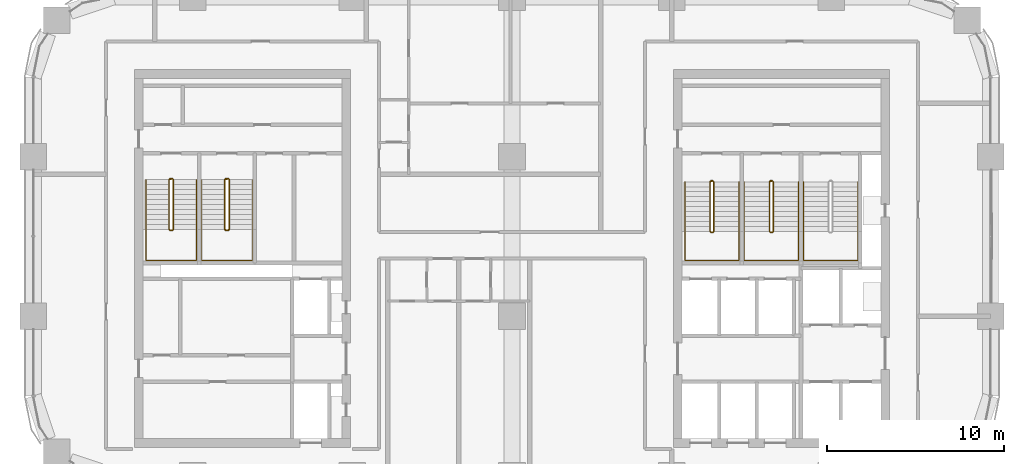
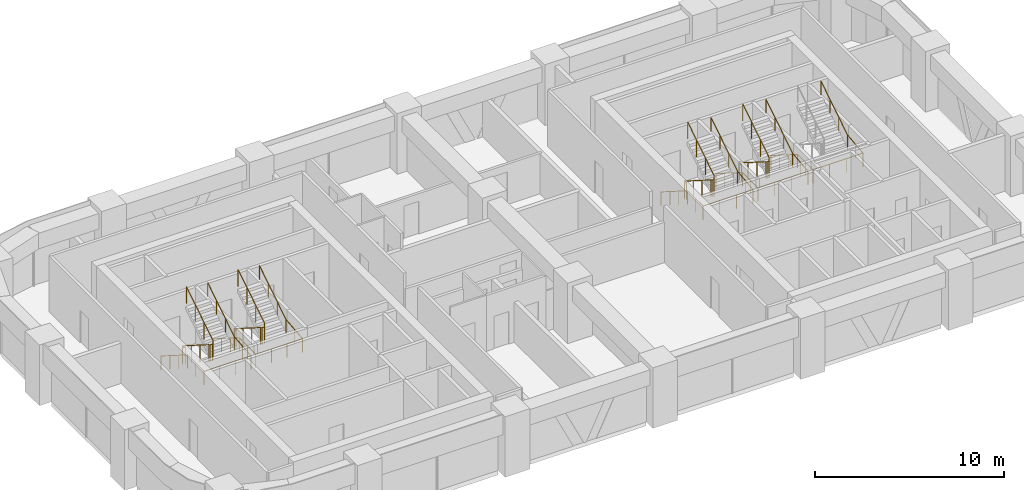
# One storey, part 13 of 14: 9 railings.
"""IFC4 building model written with IfcOpenShell, lengths in metres."""

from ifc_helpers import new_model, si_unit, direction, frame, origin, origin_2d, place, context, subcontext, project, spatial, circle, extrude, material, type_object, element, save


model = new_model("IFC4")

# Units and contexts
model_context = context("Model", 3, precision=1e-05, world=origin(), true_north=direction((0.0, 1.0)))
body_context = subcontext(model_context, "Body", "Model", "MODEL_VIEW")
ifc_project = project(units=[si_unit("LENGTHUNIT", "METRE"), si_unit("AREAUNIT", "SQUARE_METRE"), si_unit("VOLUMEUNIT", "CUBIC_METRE"), si_unit("PLANEANGLEUNIT", "RADIAN"), si_unit("MASSUNIT", "GRAM", prefix="KILO")], contexts=[model_context])

# Site, building, storey
site_placement = place(None, origin())
site = spatial("IfcSite", under=ifc_project, at=site_placement, CompositionType="ELEMENT")
building_placement = place(site_placement, origin())
building = spatial("IfcBuilding", under=site, at=building_placement, Name="Tessera Arch", CompositionType="ELEMENT")
storey_placement = place(building_placement, frame((0.0, 0.0, 173.89990234375)))
storey = spatial("IfcBuildingStorey", under=building, at=storey_placement, Name="L41", CompositionType="ELEMENT", Elevation=173.89990234375)

# Railings
ifc_material_1 = material(Name="Painted steel balustrade", Category="steel")
railing_type_1 = type_object("IfcRailingType", Name="Stair guard 1100", PredefinedType="GUARDRAIL", material=ifc_material_1)
railing_1_placement = place(storey_placement, frame((38.219970703125, 43.6298828125, 0.0)))
element("IfcRailing", 1, at=railing_1_placement, inside=storey, type_object=railing_type_1, Name="L41 S1a stair guard 1", PredefinedType="GUARDRAIL", context=body_context, shape_type="SweptSolid", body=[
    extrude(circle(Radius=0.02392578125, at=origin_2d()), frame((-0.00390625, 0.0, 1.076171875), z_axis=(1.0, 0.0, 0.0), x_axis=(0.0, 1.0, 0.0)), (0.0, 0.0, 1.0), 0.1181640625),
    extrude(circle(Radius=0.02392578125, at=origin_2d()), frame((0.11279296875, 0.000732421875, 1.0732421875), z_axis=(-0.655842288892, -0.203950955692, 0.72682521955), x_axis=(0.296948579431, -0.954893471113, 0.0)), (0.0, 0.0, 1.0), 0.252197265625),
    extrude(circle(Radius=0.02392578125, at=origin_2d()), frame((-0.050048828125, -0.04638671875, 1.25146484375), z_axis=(0.0, -0.844908973607, 0.534910110503), x_axis=(1.0, 0.0, 0.0)), (0.0, 0.0, 1.0), 3.322021484375),
    extrude(circle(Radius=0.02392578125, at=origin_2d()), frame((-0.052978515625, -2.846923828125, 3.0263671875), z_axis=(0.707106781187, -0.707106781187, 0.0), x_axis=(0.707106781187, 0.707106781187, 0.0)), (0.0, 0.0, 1.0), 0.078857421875),
    extrude(circle(Radius=0.02392578125, at=origin_2d()), frame((-0.00390625, -2.89990234375, 3.0263671875), z_axis=(1.0, 0.0, 0.0), x_axis=(0.0, 1.0, 0.0)), (0.0, 0.0, 1.0), 0.1181640625),
    extrude(circle(Radius=0.02392578125, at=origin_2d()), frame((0.109130859375, -2.90087890625, 3.0224609375), z_axis=(0.261041864531, 0.262321481514, 0.929001929653), x_axis=(-0.708833529934, 0.705375805398, 0.0)), (0.0, 0.0, 1.0), 0.19873046875),
    extrude(circle(Radius=0.02392578125, at=origin_2d()), frame((0.159912109375, -2.853271484375, 3.201416015625), z_axis=(0.0, 0.844908973607, 0.534910110503), x_axis=(-1.0, 0.0, 0.0)), (0.0, 0.0, 1.0), 3.322021484375),
    extrude(circle(Radius=0.02099609375, at=origin_2d()), origin(), (0.0, 0.0, 1.0), 1.06396484375),
    extrude(circle(Radius=0.02099609375, at=origin_2d()), frame((0.110107421875, 0.0, 0.0)), (0.0, 0.0, 1.0), 1.06396484375),
    extrude(circle(Radius=0.02099609375, at=origin_2d()), frame((-0.050048828125, -0.0498046875, 0.177490234375)), (0.0, 0.0, 1.0), 1.06396484375),
    extrude(circle(Radius=0.02099609375, at=origin_2d()), frame((-0.050048828125, -0.983154296875, 0.768310546875)), (0.0, 0.0, 1.0), 1.06396484375),
    extrude(circle(Radius=0.02099609375, at=origin_2d()), frame((-0.050048828125, -1.91650390625, 1.359375)), (0.0, 0.0, 1.0), 1.06396484375),
    extrude(circle(Radius=0.02099609375, at=origin_2d()), frame((-0.050048828125, -2.849853515625, 1.9501953125)), (0.0, 0.0, 1.0), 1.06396484375),
    extrude(circle(Radius=0.02099609375, at=origin_2d()), frame((0.0, -2.89990234375, 1.9501953125)), (0.0, 0.0, 1.0), 1.06396484375),
    extrude(circle(Radius=0.02099609375, at=origin_2d()), frame((0.110107421875, -2.89990234375, 1.9501953125)), (0.0, 0.0, 1.0), 1.06396484375),
    extrude(circle(Radius=0.02099609375, at=origin_2d()), frame((0.159912109375, -2.849853515625, 2.12744140625)), (0.0, 0.0, 1.0), 1.06396484375),
    extrude(circle(Radius=0.02099609375, at=origin_2d()), frame((0.159912109375, -1.91650390625, 2.71826171875)), (0.0, 0.0, 1.0), 1.06396484375),
    extrude(circle(Radius=0.02099609375, at=origin_2d()), frame((0.159912109375, -0.983154296875, 3.309326171875)), (0.0, 0.0, 1.0), 1.06396484375),
    extrude(circle(Radius=0.02099609375, at=origin_2d()), frame((0.159912109375, -0.0498046875, 3.900146484375)), (0.0, 0.0, 1.0), 1.06396484375),
])
railing_2_placement = place(storey_placement, frame((41.570068359375, 43.6298828125, 0.0)))
element("IfcRailing", 2, at=railing_2_placement, inside=storey, type_object=railing_type_1, Name="L41 S1b stair guard 1", PredefinedType="GUARDRAIL", context=body_context, shape_type="SweptSolid", body=[
    extrude(circle(Radius=0.02392578125, at=origin_2d()), frame((-0.00390625, 0.0, 1.076171875), z_axis=(1.0, 0.0, 0.0), x_axis=(0.0, 1.0, 0.0)), (0.0, 0.0, 1.0), 0.117919921875),
    extrude(circle(Radius=0.02392578125, at=origin_2d()), frame((0.112548828125, 0.000732421875, 1.0732421875), z_axis=(-0.655271994328, -0.204084712737, 0.727301892941), x_axis=(0.297361876254, -0.954764847777, 0.0)), (0.0, 0.0, 1.0), 0.251953125),
    extrude(circle(Radius=0.02392578125, at=origin_2d()), frame((-0.050048828125, -0.04638671875, 1.25146484375), z_axis=(0.0, -0.844908973607, 0.534910110503), x_axis=(1.0, 0.0, 0.0)), (0.0, 0.0, 1.0), 3.322021484375),
    extrude(circle(Radius=0.02392578125, at=origin_2d()), frame((-0.052978515625, -2.846923828125, 3.0263671875), z_axis=(0.707106781187, -0.707106781187, 0.0), x_axis=(0.707106781187, 0.707106781187, 0.0)), (0.0, 0.0, 1.0), 0.078857421875),
    extrude(circle(Radius=0.02392578125, at=origin_2d()), frame((-0.00390625, -2.89990234375, 3.0263671875), z_axis=(1.0, 0.0, 0.0), x_axis=(0.0, 1.0, 0.0)), (0.0, 0.0, 1.0), 0.117919921875),
    extrude(circle(Radius=0.02392578125, at=origin_2d()), frame((0.10888671875, -2.90087890625, 3.0224609375), z_axis=(0.262233686654, 0.262233686654, 0.928691007369), x_axis=(-0.707106781187, 0.707106781187, 0.0)), (0.0, 0.0, 1.0), 0.198974609375),
    extrude(circle(Radius=0.02392578125, at=origin_2d()), frame((0.159912109375, -2.853271484375, 3.201416015625), z_axis=(0.0, 0.844908973607, 0.534910110503), x_axis=(-1.0, 0.0, 0.0)), (0.0, 0.0, 1.0), 3.322021484375),
    extrude(circle(Radius=0.02099609375, at=origin_2d()), origin(), (0.0, 0.0, 1.0), 1.06396484375),
    extrude(circle(Radius=0.02099609375, at=origin_2d()), frame((0.10986328125, 0.0, 0.0)), (0.0, 0.0, 1.0), 1.06396484375),
    extrude(circle(Radius=0.02099609375, at=origin_2d()), frame((-0.050048828125, -0.0498046875, 0.177490234375)), (0.0, 0.0, 1.0), 1.06396484375),
    extrude(circle(Radius=0.02099609375, at=origin_2d()), frame((-0.050048828125, -0.983154296875, 0.768310546875)), (0.0, 0.0, 1.0), 1.06396484375),
    extrude(circle(Radius=0.02099609375, at=origin_2d()), frame((-0.050048828125, -1.91650390625, 1.359375)), (0.0, 0.0, 1.0), 1.06396484375),
    extrude(circle(Radius=0.02099609375, at=origin_2d()), frame((-0.050048828125, -2.849853515625, 1.9501953125)), (0.0, 0.0, 1.0), 1.06396484375),
    extrude(circle(Radius=0.02099609375, at=origin_2d()), frame((0.0, -2.89990234375, 1.9501953125)), (0.0, 0.0, 1.0), 1.06396484375),
    extrude(circle(Radius=0.02099609375, at=origin_2d()), frame((0.10986328125, -2.89990234375, 1.9501953125)), (0.0, 0.0, 1.0), 1.06396484375),
    extrude(circle(Radius=0.02099609375, at=origin_2d()), frame((0.159912109375, -2.849853515625, 2.12744140625)), (0.0, 0.0, 1.0), 1.06396484375),
    extrude(circle(Radius=0.02099609375, at=origin_2d()), frame((0.159912109375, -1.91650390625, 2.71826171875)), (0.0, 0.0, 1.0), 1.06396484375),
    extrude(circle(Radius=0.02099609375, at=origin_2d()), frame((0.159912109375, -0.983154296875, 3.309326171875)), (0.0, 0.0, 1.0), 1.06396484375),
    extrude(circle(Radius=0.02099609375, at=origin_2d()), frame((0.159912109375, -0.0498046875, 3.900146484375)), (0.0, 0.0, 1.0), 1.06396484375),
])
railing_3_placement = place(storey_placement, frame((7.699951171875, 43.75, 0.0)))
element("IfcRailing", 3, at=railing_3_placement, inside=storey, type_object=railing_type_1, Name="L41 S2a stair guard 1", PredefinedType="GUARDRAIL", context=body_context, shape_type="SweptSolid", body=[
    extrude(circle(Radius=0.02392578125, at=origin_2d()), frame((-0.00390625, 0.0, 1.076171875), z_axis=(1.0, 0.0, 0.0), x_axis=(0.0, 1.0, 0.0)), (0.0, 0.0, 1.0), 0.158203125),
    extrude(circle(Radius=0.02392578125, at=origin_2d()), frame((0.153076171875, 0.000732421875, 1.073486328125), z_axis=(-0.735506176693, -0.183876544173, 0.652089012751), x_axis=(0.242535625036, -0.970142500145, 0.0)), (0.0, 0.0, 1.0), 0.2802734375),
    extrude(circle(Radius=0.02392578125, at=origin_2d()), frame((-0.050048828125, -0.046630859375, 1.25146484375), z_axis=(0.0, -0.844908973607, 0.534910110503), x_axis=(1.0, 0.0, 0.0)), (0.0, 0.0, 1.0), 3.322021484375),
    extrude(circle(Radius=0.02392578125, at=origin_2d()), frame((-0.052978515625, -2.84716796875, 3.0263671875), z_axis=(0.708833529934, -0.705375805398, 0.0), x_axis=(0.705375805398, 0.708833529934, 0.0)), (0.0, 0.0, 1.0), 0.07861328125),
    extrude(circle(Radius=0.02392578125, at=origin_2d()), frame((-0.00390625, -2.89990234375, 3.0263671875), z_axis=(1.0, 0.0, 0.0), x_axis=(0.0, 1.0, 0.0)), (0.0, 0.0, 1.0), 0.158203125),
    extrude(circle(Radius=0.02392578125, at=origin_2d()), frame((0.149169921875, -2.90087890625, 3.0224609375), z_axis=(0.261129318932, 0.261129318932, 0.929313164433), x_axis=(-0.707106781187, 0.707106781187, 0.0)), (0.0, 0.0, 1.0), 0.19873046875),
    extrude(circle(Radius=0.02392578125, at=origin_2d()), frame((0.199951171875, -2.853515625, 3.201416015625), z_axis=(0.0, 0.844908973607, 0.534910110503), x_axis=(-1.0, 0.0, 0.0)), (0.0, 0.0, 1.0), 3.322021484375),
    extrude(circle(Radius=0.02099609375, at=origin_2d()), origin(), (0.0, 0.0, 1.0), 1.06396484375),
    extrude(circle(Radius=0.02099609375, at=origin_2d()), frame((0.150146484375, 0.0, 0.0)), (0.0, 0.0, 1.0), 1.06396484375),
    extrude(circle(Radius=0.02099609375, at=origin_2d()), frame((-0.050048828125, -0.050048828125, 0.177490234375)), (0.0, 0.0, 1.0), 1.06396484375),
    extrude(circle(Radius=0.02099609375, at=origin_2d()), frame((-0.050048828125, -0.9833984375, 0.768310546875)), (0.0, 0.0, 1.0), 1.06396484375),
    extrude(circle(Radius=0.02099609375, at=origin_2d()), frame((-0.050048828125, -1.916748046875, 1.359375)), (0.0, 0.0, 1.0), 1.06396484375),
    extrude(circle(Radius=0.02099609375, at=origin_2d()), frame((-0.050048828125, -2.85009765625, 1.9501953125)), (0.0, 0.0, 1.0), 1.06396484375),
    extrude(circle(Radius=0.02099609375, at=origin_2d()), frame((0.0, -2.89990234375, 1.9501953125)), (0.0, 0.0, 1.0), 1.06396484375),
    extrude(circle(Radius=0.02099609375, at=origin_2d()), frame((0.150146484375, -2.89990234375, 1.9501953125)), (0.0, 0.0, 1.0), 1.06396484375),
    extrude(circle(Radius=0.02099609375, at=origin_2d()), frame((0.199951171875, -2.85009765625, 2.12744140625)), (0.0, 0.0, 1.0), 1.06396484375),
    extrude(circle(Radius=0.02099609375, at=origin_2d()), frame((0.199951171875, -1.916748046875, 2.71826171875)), (0.0, 0.0, 1.0), 1.06396484375),
    extrude(circle(Radius=0.02099609375, at=origin_2d()), frame((0.199951171875, -0.9833984375, 3.309326171875)), (0.0, 0.0, 1.0), 1.06396484375),
    extrude(circle(Radius=0.02099609375, at=origin_2d()), frame((0.199951171875, -0.050048828125, 3.900146484375)), (0.0, 0.0, 1.0), 1.06396484375),
])
railing_4_placement = place(storey_placement, frame((10.85009765625, 43.75, 0.0)))
element("IfcRailing", 4, at=railing_4_placement, inside=storey, type_object=railing_type_1, Name="L41 S2b stair guard 1", PredefinedType="GUARDRAIL", context=body_context, shape_type="SweptSolid", body=[
    extrude(circle(Radius=0.02392578125, at=origin_2d()), frame((-0.00390625, 0.0, 1.076171875), z_axis=(1.0, 0.0, 0.0), x_axis=(0.0, 1.0, 0.0)), (0.0, 0.0, 1.0), 0.157958984375),
    extrude(circle(Radius=0.02392578125, at=origin_2d()), frame((0.15283203125, 0.000732421875, 1.073486328125), z_axis=(-0.735094037398, -0.183997897029, 0.652519371414), x_axis=(0.242814311512, -0.970072785993, 0.0)), (0.0, 0.0, 1.0), 0.280029296875),
    extrude(circle(Radius=0.02392578125, at=origin_2d()), frame((-0.050048828125, -0.046630859375, 1.25146484375), z_axis=(0.0, -0.844908973607, 0.534910110503), x_axis=(1.0, 0.0, 0.0)), (0.0, 0.0, 1.0), 3.322021484375),
    extrude(circle(Radius=0.02392578125, at=origin_2d()), frame((-0.052978515625, -2.84716796875, 3.0263671875), z_axis=(0.708833529934, -0.705375805398, 0.0), x_axis=(0.705375805398, 0.708833529934, 0.0)), (0.0, 0.0, 1.0), 0.07861328125),
    extrude(circle(Radius=0.02392578125, at=origin_2d()), frame((-0.00390625, -2.89990234375, 3.0263671875), z_axis=(1.0, 0.0, 0.0), x_axis=(0.0, 1.0, 0.0)), (0.0, 0.0, 1.0), 0.157958984375),
    extrude(circle(Radius=0.02392578125, at=origin_2d()), frame((0.14892578125, -2.90087890625, 3.0224609375), z_axis=(0.262321481514, 0.261041864531, 0.929001929653), x_axis=(-0.705375805398, 0.708833529934, 0.0)), (0.0, 0.0, 1.0), 0.19873046875),
    extrude(circle(Radius=0.02392578125, at=origin_2d()), frame((0.199951171875, -2.853515625, 3.201416015625), z_axis=(0.0, 0.844908973607, 0.534910110503), x_axis=(-1.0, 0.0, 0.0)), (0.0, 0.0, 1.0), 3.322021484375),
    extrude(circle(Radius=0.02099609375, at=origin_2d()), origin(), (0.0, 0.0, 1.0), 1.06396484375),
    extrude(circle(Radius=0.02099609375, at=origin_2d()), frame((0.14990234375, 0.0, 0.0)), (0.0, 0.0, 1.0), 1.06396484375),
    extrude(circle(Radius=0.02099609375, at=origin_2d()), frame((-0.050048828125, -0.050048828125, 0.177490234375)), (0.0, 0.0, 1.0), 1.06396484375),
    extrude(circle(Radius=0.02099609375, at=origin_2d()), frame((-0.050048828125, -0.9833984375, 0.768310546875)), (0.0, 0.0, 1.0), 1.06396484375),
    extrude(circle(Radius=0.02099609375, at=origin_2d()), frame((-0.050048828125, -1.916748046875, 1.359375)), (0.0, 0.0, 1.0), 1.06396484375),
    extrude(circle(Radius=0.02099609375, at=origin_2d()), frame((-0.050048828125, -2.85009765625, 1.9501953125)), (0.0, 0.0, 1.0), 1.06396484375),
    extrude(circle(Radius=0.02099609375, at=origin_2d()), frame((0.0, -2.89990234375, 1.9501953125)), (0.0, 0.0, 1.0), 1.06396484375),
    extrude(circle(Radius=0.02099609375, at=origin_2d()), frame((0.14990234375, -2.89990234375, 1.9501953125)), (0.0, 0.0, 1.0), 1.06396484375),
    extrude(circle(Radius=0.02099609375, at=origin_2d()), frame((0.199951171875, -2.85009765625, 2.12744140625)), (0.0, 0.0, 1.0), 1.06396484375),
    extrude(circle(Radius=0.02099609375, at=origin_2d()), frame((0.199951171875, -1.916748046875, 2.71826171875)), (0.0, 0.0, 1.0), 1.06396484375),
    extrude(circle(Radius=0.02099609375, at=origin_2d()), frame((0.199951171875, -0.9833984375, 3.309326171875)), (0.0, 0.0, 1.0), 1.06396484375),
    extrude(circle(Radius=0.02099609375, at=origin_2d()), frame((0.199951171875, -0.050048828125, 3.900146484375)), (0.0, 0.0, 1.0), 1.06396484375),
])
ifc_material_2 = material(Name="Painted steel handrail", Category="steel")
railing_type_2 = type_object("IfcRailingType", Name="Stair handrail 900", PredefinedType="HANDRAIL", material=ifc_material_2)
railing_5_placement = place(storey_placement, frame((36.75, 43.580078125, 0.177490234375)))
element("IfcRailing", 5, at=railing_5_placement, inside=storey, type_object=railing_type_2, Name="L41 S1a stair handrail", PredefinedType="HANDRAIL", context=body_context, shape_type="SweptSolid", body=[
    extrude(circle(Radius=0.02392578125, at=origin_2d()), frame((0.0, 0.00341796875, 0.873779296875), z_axis=(0.0, -0.844908973607, 0.534910110503), x_axis=(1.0, 0.0, 0.0)), (0.0, 0.0, 1.0), 3.322021484375),
    extrude(circle(Radius=0.02392578125, at=origin_2d()), frame((0.0, -2.796142578125, 2.6484375), z_axis=(0.0, -1.0, 0.0), x_axis=(1.0, 0.0, 0.0)), (0.0, 0.0, 1.0), 1.63818359375),
    extrude(circle(Radius=0.02392578125, at=origin_2d()), frame((-0.00390625, -4.43017578125, 2.6484375), z_axis=(1.0, 0.0, 0.0), x_axis=(0.0, 1.0, 0.0)), (0.0, 0.0, 1.0), 3.05810546875),
    extrude(circle(Radius=0.02392578125, at=origin_2d()), frame((3.050048828125, -4.43408203125, 2.648193359375), z_axis=(0.0, 0.994140637614, 0.108094369164), x_axis=(-1.0, 0.0, 0.0)), (0.0, 0.0, 1.0), 1.647705078125),
    extrude(circle(Radius=0.02392578125, at=origin_2d()), frame((3.050048828125, -2.803466796875, 2.82373046875), z_axis=(0.0, 0.844908973607, 0.534910110503), x_axis=(-1.0, 0.0, 0.0)), (0.0, 0.0, 1.0), 3.322021484375),
    extrude(circle(Radius=0.02099609375, at=origin_2d()), origin(), (0.0, 0.0, 1.0), 0.86376953125),
    extrude(circle(Radius=0.02099609375, at=origin_2d()), frame((0.0, -0.933349609375, 0.5908203125)), (0.0, 0.0, 1.0), 0.86376953125),
    extrude(circle(Radius=0.02099609375, at=origin_2d()), frame((0.0, -1.86669921875, 1.181884765625)), (0.0, 0.0, 1.0), 0.86376953125),
    extrude(circle(Radius=0.02099609375, at=origin_2d()), frame((0.0, -2.800048828125, 1.772705078125)), (0.0, 0.0, 1.0), 0.86376953125),
    extrude(circle(Radius=0.02099609375, at=origin_2d()), frame((0.0, -3.615234375, 1.772705078125)), (0.0, 0.0, 1.0), 0.86376953125),
    extrude(circle(Radius=0.02099609375, at=origin_2d()), frame((0.0, -4.43017578125, 1.772705078125)), (0.0, 0.0, 1.0), 0.86376953125),
    extrude(circle(Radius=0.02099609375, at=origin_2d()), frame((1.0166015625, -4.43017578125, 1.772705078125)), (0.0, 0.0, 1.0), 0.86376953125),
    extrude(circle(Radius=0.02099609375, at=origin_2d()), frame((2.033447265625, -4.43017578125, 1.772705078125)), (0.0, 0.0, 1.0), 0.86376953125),
    extrude(circle(Radius=0.02099609375, at=origin_2d()), frame((3.050048828125, -4.43017578125, 1.772705078125)), (0.0, 0.0, 1.0), 0.86376953125),
    extrude(circle(Radius=0.02099609375, at=origin_2d()), frame((3.050048828125, -3.615234375, 1.861328125)), (0.0, 0.0, 1.0), 0.86376953125),
    extrude(circle(Radius=0.02099609375, at=origin_2d()), frame((3.050048828125, -2.800048828125, 1.949951171875)), (0.0, 0.0, 1.0), 0.86376953125),
    extrude(circle(Radius=0.02099609375, at=origin_2d()), frame((3.050048828125, -1.86669921875, 2.540771484375)), (0.0, 0.0, 1.0), 0.86376953125),
    extrude(circle(Radius=0.02099609375, at=origin_2d()), frame((3.050048828125, -0.933349609375, 3.1318359375)), (0.0, 0.0, 1.0), 0.86376953125),
    extrude(circle(Radius=0.02099609375, at=origin_2d()), frame((3.050048828125, 0.0, 3.72265625)), (0.0, 0.0, 1.0), 0.86376953125),
])
railing_6_placement = place(storey_placement, frame((40.10009765625, 43.580078125, 0.177490234375)))
element("IfcRailing", 6, at=railing_6_placement, inside=storey, type_object=railing_type_2, Name="L41 S1b stair handrail", PredefinedType="HANDRAIL", context=body_context, shape_type="SweptSolid", body=[
    extrude(circle(Radius=0.02392578125, at=origin_2d()), frame((0.0, 0.00341796875, 0.873779296875), z_axis=(0.0, -0.844908973607, 0.534910110503), x_axis=(1.0, 0.0, 0.0)), (0.0, 0.0, 1.0), 3.322021484375),
    extrude(circle(Radius=0.02392578125, at=origin_2d()), frame((0.0, -2.796142578125, 2.6484375), z_axis=(0.0, -1.0, 0.0), x_axis=(1.0, 0.0, 0.0)), (0.0, 0.0, 1.0), 1.63818359375),
    extrude(circle(Radius=0.02392578125, at=origin_2d()), frame((-0.00390625, -4.43017578125, 2.6484375), z_axis=(1.0, 0.0, 0.0), x_axis=(0.0, 1.0, 0.0)), (0.0, 0.0, 1.0), 3.057861328125),
    extrude(circle(Radius=0.02392578125, at=origin_2d()), frame((3.0498046875, -4.43408203125, 2.648193359375), z_axis=(0.0, 0.994140637614, 0.108094369164), x_axis=(-1.0, 0.0, 0.0)), (0.0, 0.0, 1.0), 1.647705078125),
    extrude(circle(Radius=0.02392578125, at=origin_2d()), frame((3.0498046875, -2.803466796875, 2.82373046875), z_axis=(0.0, 0.844908973607, 0.534910110503), x_axis=(-1.0, 0.0, 0.0)), (0.0, 0.0, 1.0), 3.322021484375),
    extrude(circle(Radius=0.02099609375, at=origin_2d()), origin(), (0.0, 0.0, 1.0), 0.86376953125),
    extrude(circle(Radius=0.02099609375, at=origin_2d()), frame((0.0, -0.933349609375, 0.5908203125)), (0.0, 0.0, 1.0), 0.86376953125),
    extrude(circle(Radius=0.02099609375, at=origin_2d()), frame((0.0, -1.86669921875, 1.181884765625)), (0.0, 0.0, 1.0), 0.86376953125),
    extrude(circle(Radius=0.02099609375, at=origin_2d()), frame((0.0, -2.800048828125, 1.772705078125)), (0.0, 0.0, 1.0), 0.86376953125),
    extrude(circle(Radius=0.02099609375, at=origin_2d()), frame((0.0, -3.615234375, 1.772705078125)), (0.0, 0.0, 1.0), 0.86376953125),
    extrude(circle(Radius=0.02099609375, at=origin_2d()), frame((0.0, -4.43017578125, 1.772705078125)), (0.0, 0.0, 1.0), 0.86376953125),
    extrude(circle(Radius=0.02099609375, at=origin_2d()), frame((1.0166015625, -4.43017578125, 1.772705078125)), (0.0, 0.0, 1.0), 0.86376953125),
    extrude(circle(Radius=0.02099609375, at=origin_2d()), frame((2.033203125, -4.43017578125, 1.772705078125)), (0.0, 0.0, 1.0), 0.86376953125),
    extrude(circle(Radius=0.02099609375, at=origin_2d()), frame((3.0498046875, -4.43017578125, 1.772705078125)), (0.0, 0.0, 1.0), 0.86376953125),
    extrude(circle(Radius=0.02099609375, at=origin_2d()), frame((3.0498046875, -3.615234375, 1.861328125)), (0.0, 0.0, 1.0), 0.86376953125),
    extrude(circle(Radius=0.02099609375, at=origin_2d()), frame((3.0498046875, -2.800048828125, 1.949951171875)), (0.0, 0.0, 1.0), 0.86376953125),
    extrude(circle(Radius=0.02099609375, at=origin_2d()), frame((3.0498046875, -1.86669921875, 2.540771484375)), (0.0, 0.0, 1.0), 0.86376953125),
    extrude(circle(Radius=0.02099609375, at=origin_2d()), frame((3.0498046875, -0.933349609375, 3.1318359375)), (0.0, 0.0, 1.0), 0.86376953125),
    extrude(circle(Radius=0.02099609375, at=origin_2d()), frame((3.0498046875, 0.0, 3.72265625)), (0.0, 0.0, 1.0), 0.86376953125),
])
railing_7_placement = place(storey_placement, frame((43.449951171875, 43.580078125, 0.177490234375)))
element("IfcRailing", 7, at=railing_7_placement, inside=storey, type_object=railing_type_2, Name="L41 S1c stair handrail", PredefinedType="HANDRAIL", context=body_context, shape_type="SweptSolid", body=[
    extrude(circle(Radius=0.02392578125, at=origin_2d()), frame((0.0, 0.00341796875, 0.873779296875), z_axis=(0.0, -0.844908973607, 0.534910110503), x_axis=(1.0, 0.0, 0.0)), (0.0, 0.0, 1.0), 3.322021484375),
    extrude(circle(Radius=0.02392578125, at=origin_2d()), frame((0.0, -2.796142578125, 2.6484375), z_axis=(0.0, -1.0, 0.0), x_axis=(1.0, 0.0, 0.0)), (0.0, 0.0, 1.0), 1.63818359375),
    extrude(circle(Radius=0.02392578125, at=origin_2d()), frame((-0.00390625, -4.43017578125, 2.6484375), z_axis=(1.0, 0.0, 0.0), x_axis=(0.0, 1.0, 0.0)), (0.0, 0.0, 1.0), 3.05810546875),
    extrude(circle(Radius=0.02392578125, at=origin_2d()), frame((3.050048828125, -4.43408203125, 2.648193359375), z_axis=(0.0, 0.994140637614, 0.108094369164), x_axis=(-1.0, 0.0, 0.0)), (0.0, 0.0, 1.0), 1.647705078125),
    extrude(circle(Radius=0.02392578125, at=origin_2d()), frame((3.050048828125, -2.803466796875, 2.82373046875), z_axis=(0.0, 0.844908973607, 0.534910110503), x_axis=(-1.0, 0.0, 0.0)), (0.0, 0.0, 1.0), 3.322021484375),
    extrude(circle(Radius=0.02099609375, at=origin_2d()), origin(), (0.0, 0.0, 1.0), 0.86376953125),
    extrude(circle(Radius=0.02099609375, at=origin_2d()), frame((0.0, -0.933349609375, 0.5908203125)), (0.0, 0.0, 1.0), 0.86376953125),
    extrude(circle(Radius=0.02099609375, at=origin_2d()), frame((0.0, -1.86669921875, 1.181884765625)), (0.0, 0.0, 1.0), 0.86376953125),
    extrude(circle(Radius=0.02099609375, at=origin_2d()), frame((0.0, -2.800048828125, 1.772705078125)), (0.0, 0.0, 1.0), 0.86376953125),
    extrude(circle(Radius=0.02099609375, at=origin_2d()), frame((0.0, -3.615234375, 1.772705078125)), (0.0, 0.0, 1.0), 0.86376953125),
    extrude(circle(Radius=0.02099609375, at=origin_2d()), frame((0.0, -4.43017578125, 1.772705078125)), (0.0, 0.0, 1.0), 0.86376953125),
    extrude(circle(Radius=0.02099609375, at=origin_2d()), frame((1.0166015625, -4.43017578125, 1.772705078125)), (0.0, 0.0, 1.0), 0.86376953125),
    extrude(circle(Radius=0.02099609375, at=origin_2d()), frame((2.033447265625, -4.43017578125, 1.772705078125)), (0.0, 0.0, 1.0), 0.86376953125),
    extrude(circle(Radius=0.02099609375, at=origin_2d()), frame((3.050048828125, -4.43017578125, 1.772705078125)), (0.0, 0.0, 1.0), 0.86376953125),
    extrude(circle(Radius=0.02099609375, at=origin_2d()), frame((3.050048828125, -3.615234375, 1.861328125)), (0.0, 0.0, 1.0), 0.86376953125),
    extrude(circle(Radius=0.02099609375, at=origin_2d()), frame((3.050048828125, -2.800048828125, 1.949951171875)), (0.0, 0.0, 1.0), 0.86376953125),
    extrude(circle(Radius=0.02099609375, at=origin_2d()), frame((3.050048828125, -1.86669921875, 2.540771484375)), (0.0, 0.0, 1.0), 0.86376953125),
    extrude(circle(Radius=0.02099609375, at=origin_2d()), frame((3.050048828125, -0.933349609375, 3.1318359375)), (0.0, 0.0, 1.0), 0.86376953125),
    extrude(circle(Radius=0.02099609375, at=origin_2d()), frame((3.050048828125, 0.0, 3.72265625)), (0.0, 0.0, 1.0), 0.86376953125),
])
railing_8_placement = place(storey_placement, frame((6.35009765625, 43.699951171875, 0.177490234375)))
element("IfcRailing", 8, at=railing_8_placement, inside=storey, type_object=railing_type_2, Name="L41 S2a stair handrail", PredefinedType="HANDRAIL", context=body_context, shape_type="SweptSolid", body=[
    extrude(circle(Radius=0.02392578125, at=origin_2d()), frame((0.0, 0.00341796875, 0.873779296875), z_axis=(0.0, -0.844908973607, 0.534910110503), x_axis=(1.0, 0.0, 0.0)), (0.0, 0.0, 1.0), 3.322021484375),
    extrude(circle(Radius=0.02392578125, at=origin_2d()), frame((0.0, -2.796142578125, 2.6484375), z_axis=(0.0, -1.0, 0.0), x_axis=(1.0, 0.0, 0.0)), (0.0, 0.0, 1.0), 1.758056640625),
    extrude(circle(Radius=0.02392578125, at=origin_2d()), frame((-0.00390625, -4.550048828125, 2.6484375), z_axis=(1.0, 0.0, 0.0), x_axis=(0.0, 1.0, 0.0)), (0.0, 0.0, 1.0), 2.85791015625),
    extrude(circle(Radius=0.02392578125, at=origin_2d()), frame((2.849853515625, -4.553955078125, 2.648193359375), z_axis=(0.0, 0.994909956378, 0.100767944801), x_axis=(-1.0, 0.0, 0.0)), (0.0, 0.0, 1.0), 1.766845703125),
    extrude(circle(Radius=0.02392578125, at=origin_2d()), frame((2.849853515625, -2.803466796875, 2.82373046875), z_axis=(0.0, 0.844908973607, 0.534910110503), x_axis=(-1.0, 0.0, 0.0)), (0.0, 0.0, 1.0), 3.322021484375),
    extrude(circle(Radius=0.02099609375, at=origin_2d()), origin(), (0.0, 0.0, 1.0), 0.86376953125),
    extrude(circle(Radius=0.02099609375, at=origin_2d()), frame((0.0, -0.933349609375, 0.5908203125)), (0.0, 0.0, 1.0), 0.86376953125),
    extrude(circle(Radius=0.02099609375, at=origin_2d()), frame((0.0, -1.86669921875, 1.181884765625)), (0.0, 0.0, 1.0), 0.86376953125),
    extrude(circle(Radius=0.02099609375, at=origin_2d()), frame((0.0, -2.800048828125, 1.772705078125)), (0.0, 0.0, 1.0), 0.86376953125),
    extrude(circle(Radius=0.02099609375, at=origin_2d()), frame((0.0, -3.675048828125, 1.772705078125)), (0.0, 0.0, 1.0), 0.86376953125),
    extrude(circle(Radius=0.02099609375, at=origin_2d()), frame((0.0, -4.550048828125, 1.772705078125)), (0.0, 0.0, 1.0), 0.86376953125),
    extrude(circle(Radius=0.02099609375, at=origin_2d()), frame((0.949951171875, -4.550048828125, 1.772705078125)), (0.0, 0.0, 1.0), 0.86376953125),
    extrude(circle(Radius=0.02099609375, at=origin_2d()), frame((1.89990234375, -4.550048828125, 1.772705078125)), (0.0, 0.0, 1.0), 0.86376953125),
    extrude(circle(Radius=0.02099609375, at=origin_2d()), frame((2.849853515625, -4.550048828125, 1.772705078125)), (0.0, 0.0, 1.0), 0.86376953125),
    extrude(circle(Radius=0.02099609375, at=origin_2d()), frame((2.849853515625, -3.675048828125, 1.861328125)), (0.0, 0.0, 1.0), 0.86376953125),
    extrude(circle(Radius=0.02099609375, at=origin_2d()), frame((2.849853515625, -2.800048828125, 1.949951171875)), (0.0, 0.0, 1.0), 0.86376953125),
    extrude(circle(Radius=0.02099609375, at=origin_2d()), frame((2.849853515625, -1.86669921875, 2.540771484375)), (0.0, 0.0, 1.0), 0.86376953125),
    extrude(circle(Radius=0.02099609375, at=origin_2d()), frame((2.849853515625, -0.933349609375, 3.1318359375)), (0.0, 0.0, 1.0), 0.86376953125),
    extrude(circle(Radius=0.02099609375, at=origin_2d()), frame((2.849853515625, 0.0, 3.72265625)), (0.0, 0.0, 1.0), 0.86376953125),
])
railing_9_placement = place(storey_placement, frame((9.5, 43.699951171875, 0.177490234375)))
element("IfcRailing", 9, at=railing_9_placement, inside=storey, type_object=railing_type_2, Name="L41 S2b stair handrail", PredefinedType="HANDRAIL", context=body_context, shape_type="SweptSolid", body=[
    extrude(circle(Radius=0.02392578125, at=origin_2d()), frame((0.0, 0.00341796875, 0.873779296875), z_axis=(0.0, -0.844908973607, 0.534910110503), x_axis=(1.0, 0.0, 0.0)), (0.0, 0.0, 1.0), 3.322021484375),
    extrude(circle(Radius=0.02392578125, at=origin_2d()), frame((0.0, -2.796142578125, 2.6484375), z_axis=(0.0, -1.0, 0.0), x_axis=(1.0, 0.0, 0.0)), (0.0, 0.0, 1.0), 1.758056640625),
    extrude(circle(Radius=0.02392578125, at=origin_2d()), frame((-0.00390625, -4.550048828125, 2.6484375), z_axis=(1.0, 0.0, 0.0), x_axis=(0.0, 1.0, 0.0)), (0.0, 0.0, 1.0), 2.858154296875),
    extrude(circle(Radius=0.02392578125, at=origin_2d()), frame((2.85009765625, -4.553955078125, 2.648193359375), z_axis=(0.0, 0.994909956378, 0.100767944801), x_axis=(-1.0, 0.0, 0.0)), (0.0, 0.0, 1.0), 1.766845703125),
    extrude(circle(Radius=0.02392578125, at=origin_2d()), frame((2.85009765625, -2.803466796875, 2.82373046875), z_axis=(0.0, 0.844908973607, 0.534910110503), x_axis=(-1.0, 0.0, 0.0)), (0.0, 0.0, 1.0), 3.322021484375),
    extrude(circle(Radius=0.02099609375, at=origin_2d()), origin(), (0.0, 0.0, 1.0), 0.86376953125),
    extrude(circle(Radius=0.02099609375, at=origin_2d()), frame((0.0, -0.933349609375, 0.5908203125)), (0.0, 0.0, 1.0), 0.86376953125),
    extrude(circle(Radius=0.02099609375, at=origin_2d()), frame((0.0, -1.86669921875, 1.181884765625)), (0.0, 0.0, 1.0), 0.86376953125),
    extrude(circle(Radius=0.02099609375, at=origin_2d()), frame((0.0, -2.800048828125, 1.772705078125)), (0.0, 0.0, 1.0), 0.86376953125),
    extrude(circle(Radius=0.02099609375, at=origin_2d()), frame((0.0, -3.675048828125, 1.772705078125)), (0.0, 0.0, 1.0), 0.86376953125),
    extrude(circle(Radius=0.02099609375, at=origin_2d()), frame((0.0, -4.550048828125, 1.772705078125)), (0.0, 0.0, 1.0), 0.86376953125),
    extrude(circle(Radius=0.02099609375, at=origin_2d()), frame((0.949951171875, -4.550048828125, 1.772705078125)), (0.0, 0.0, 1.0), 0.86376953125),
    extrude(circle(Radius=0.02099609375, at=origin_2d()), frame((1.900146484375, -4.550048828125, 1.772705078125)), (0.0, 0.0, 1.0), 0.86376953125),
    extrude(circle(Radius=0.02099609375, at=origin_2d()), frame((2.85009765625, -4.550048828125, 1.772705078125)), (0.0, 0.0, 1.0), 0.86376953125),
    extrude(circle(Radius=0.02099609375, at=origin_2d()), frame((2.85009765625, -3.675048828125, 1.861328125)), (0.0, 0.0, 1.0), 0.86376953125),
    extrude(circle(Radius=0.02099609375, at=origin_2d()), frame((2.85009765625, -2.800048828125, 1.949951171875)), (0.0, 0.0, 1.0), 0.86376953125),
    extrude(circle(Radius=0.02099609375, at=origin_2d()), frame((2.85009765625, -1.86669921875, 2.540771484375)), (0.0, 0.0, 1.0), 0.86376953125),
    extrude(circle(Radius=0.02099609375, at=origin_2d()), frame((2.85009765625, -0.933349609375, 3.1318359375)), (0.0, 0.0, 1.0), 0.86376953125),
    extrude(circle(Radius=0.02099609375, at=origin_2d()), frame((2.85009765625, 0.0, 3.72265625)), (0.0, 0.0, 1.0), 0.86376953125),
])

save(model, "model.ifc")
